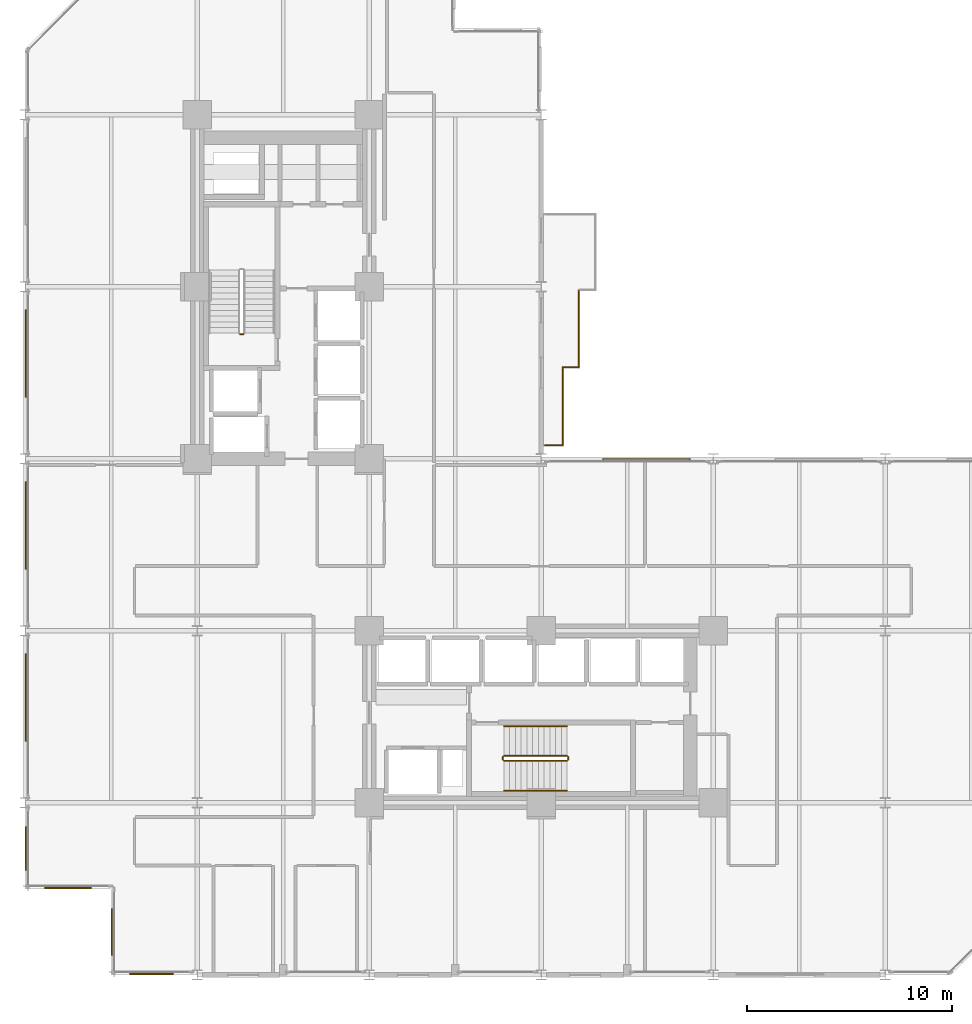
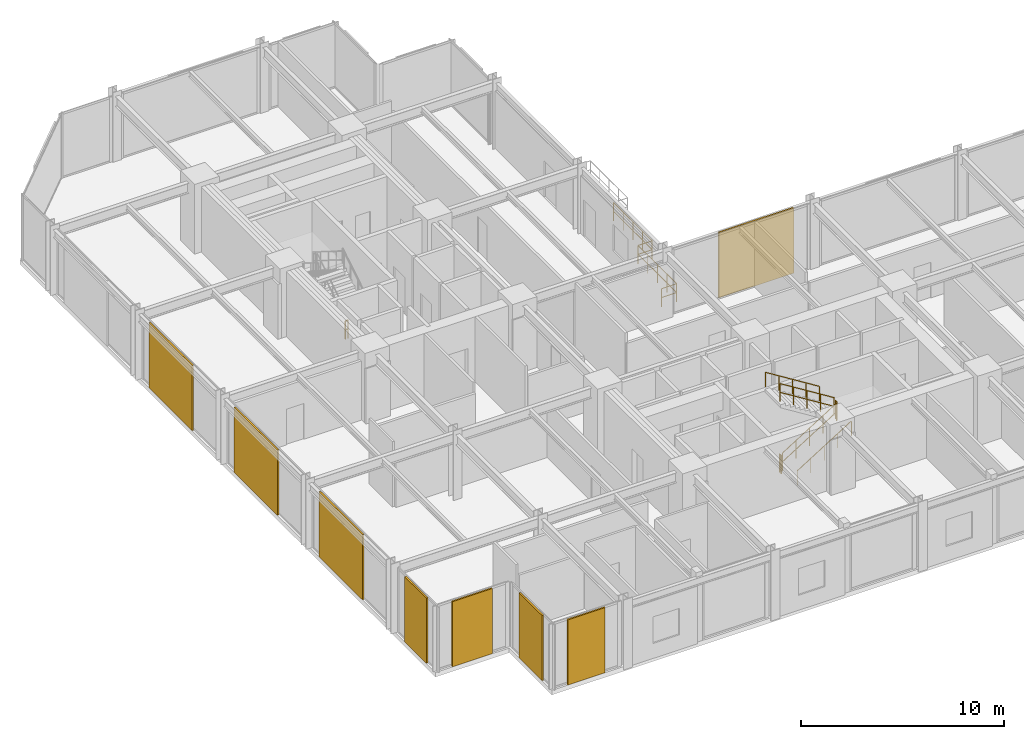
# One storey, part 22 of 24: 11 railings, 8 coverings.
"""IFC4 building model written with IfcOpenShell, lengths in metres."""

from ifc_helpers import new_model, si_unit, direction, frame, origin, origin_2d, place, context, subcontext, project, spatial, rectangle, circle, extrude, material, layer, layer_set, type_object, element, save


model = new_model("IFC4")

# Units and contexts
model_context = context("Model", 3, precision=1e-05, world=origin(), true_north=direction((0.0, 1.0)))
body_context = subcontext(model_context, "Body", "Model", "MODEL_VIEW")
ifc_project = project(units=[si_unit("LENGTHUNIT", "METRE"), si_unit("AREAUNIT", "SQUARE_METRE"), si_unit("VOLUMEUNIT", "CUBIC_METRE"), si_unit("PLANEANGLEUNIT", "RADIAN"), si_unit("MASSUNIT", "GRAM", prefix="KILO")], contexts=[model_context])

# Site, building, storey
site_placement = place(None, origin())
site = spatial("IfcSite", under=ifc_project, at=site_placement, CompositionType="ELEMENT")
building_placement = place(site_placement, origin())
building = spatial("IfcBuilding", under=site, at=building_placement, Name="Nerrivon Quay Data Exchange", CompositionType="ELEMENT")
storey_placement = place(building_placement, frame((0.0, 0.0, 45.800048828125)))
storey = spatial("IfcBuildingStorey", under=building, at=storey_placement, Name="L10", CompositionType="ELEMENT", Elevation=45.800048828125)

# Coverings
ifc_material_1 = material(Name="Architectural terracotta ceramic", Category="masonry")
ifc_layer = layer(ifc_material_1, 0.090087890625)
ifc_layer_set = layer_set([ifc_layer], Name="Architectural terracotta ceramic")
covering_type = type_object("IfcCoveringType", Name="COV-SCR-TERR", PredefinedType="CLADDING", material=ifc_layer_set)
covering_1_placement = place(storey_placement, frame((6.175048828125, 0.044921875, 0.0), z_axis=(0.0, 0.0, 1.0), x_axis=(-1.0, 0.0, 0.0)))
element("IfcCovering", 1, at=covering_1_placement, inside=storey, type_object=covering_type, Name="L10 Perforated Terracotta SOLAR SCREEN Cassette", PredefinedType="CLADDING", context=body_context, shape_type="SweptSolid", body=[
    extrude(rectangle(XDim=2.133056640625, YDim=0.090087890625, at=origin_2d()), origin(), (0.0, 0.0, 1.0), 3.925048828125),
])
for number, where, z_axis, x_axis, name in (
    (2, (4.2451171875, 2.10009765625, 0.0), (0.0, 0.0, 1.0), (0.0, 1.0, 0.0), "L10 Perforated Terracotta SOLAR SCREEN Cassette"),
    (3, (2.10009765625, 4.2451171875, 0.0), (0.0, 0.0, 1.0), (-1.0, 0.0, 0.0), "L10 Perforated Terracotta SOLAR SCREEN Cassette"),
):
    element("IfcCovering", number, at=place(storey_placement, frame(where, z_axis=z_axis, x_axis=x_axis)), inside=storey, type_object=covering_type, Name=name, PredefinedType="CLADDING", context=body_context, shape_type="SweptSolid", body=[
        extrude(rectangle(XDim=2.26806640625, YDim=0.090087890625, at=origin_2d()), origin(), (0.0, 0.0, 1.0), 3.925048828125),
    ])
covering_2_placement = place(storey_placement, frame((0.044921875, 6.175048828125, 0.0), z_axis=(0.0, 0.0, 1.0), x_axis=(0.0, 1.0, 0.0)))
element("IfcCovering", 4, at=covering_2_placement, inside=storey, type_object=covering_type, Name="L10 Perforated Terracotta SOLAR SCREEN Cassette", PredefinedType="CLADDING", context=body_context, shape_type="SweptSolid", body=[
    extrude(rectangle(XDim=2.133056640625, YDim=0.090087890625, at=origin_2d()), origin(), (0.0, 0.0, 1.0), 3.925048828125),
])
for number, where, z_axis, x_axis, name in (
    (5, (0.044921875, 13.548095703125, 0.0), (0.0, 0.0, 1.0), (0.0, 1.0, 0.0), "L10 Perforated Terracotta SOLAR SCREEN Cassette"),
    (6, (0.044921875, 21.947998046875, 0.0), (0.0, 0.0, 1.0), (0.0, 1.0, 0.0), "L10 Perforated Terracotta SOLAR SCREEN Cassette"),
    (7, (0.044921875, 30.347900390625, 0.0), (0.0, 0.0, 1.0), (0.0, 1.0, 0.0), "L10 Perforated Terracotta SOLAR SCREEN Cassette"),
    (8, (30.347900390625, 25.155029296875, 0.0), (0.0, 0.0, 1.0), (1.0, 0.0, 0.0), "L10 Perforated Terracotta SOLAR SCREEN Cassette"),
):
    element("IfcCovering", number, at=place(storey_placement, frame(where, z_axis=z_axis, x_axis=x_axis)), inside=storey, type_object=covering_type, Name=name, PredefinedType="CLADDING", context=body_context, shape_type="SweptSolid", body=[
        extrude(rectangle(XDim=4.26611328125, YDim=0.090087890625, at=origin_2d()), origin(), (0.0, 0.0, 1.0), 3.925048828125),
    ])

# Railings
ifc_material_2 = material(Name="Steel Grade C350L0 (350 MPa)", Category="steel")
railing_type_1 = type_object("IfcRailingType", Name="RAIL-GUARD-GR2", PredefinedType="BALUSTRADE", material=ifc_material_2)
railing_1_placement = place(storey_placement, frame((26.239990234375, 29.659912109375, 0.0)))
element("IfcRailing", 9, at=railing_1_placement, inside=storey, type_object=railing_type_1, Name="L10 Verandah Balcony Guard 1.1 1", PredefinedType="BALUSTRADE", context=body_context, shape_type="SweptSolid", body=[
    extrude(circle(Radius=0.02392578125, at=origin_2d()), frame((0.0, 0.0, 1.09619140625), z_axis=(0.0, -1.0, 0.0), x_axis=(1.0, 0.0, 0.0)), (0.0, 0.0, 1.0), 3.7998046875),
    extrude(circle(Radius=0.02392578125, at=origin_2d()), frame((0.0, 0.0, 0.56005859375), z_axis=(0.0, -1.0, 0.0), x_axis=(1.0, 0.0, 0.0)), (0.0, 0.0, 1.0), 3.7998046875),
    extrude(circle(Radius=0.02099609375, at=origin_2d()), origin(), (0.0, 0.0, 1.0), 1.072021484375),
    extrude(circle(Radius=0.02099609375, at=origin_2d()), frame((0.0, -0.949951171875, 0.0)), (0.0, 0.0, 1.0), 1.072021484375),
    extrude(circle(Radius=0.02099609375, at=origin_2d()), frame((0.0, -1.89990234375, 0.0)), (0.0, 0.0, 1.0), 1.072021484375),
    extrude(circle(Radius=0.02099609375, at=origin_2d()), frame((0.0, -2.849853515625, 0.0)), (0.0, 0.0, 1.0), 1.072021484375),
    extrude(circle(Radius=0.02099609375, at=origin_2d()), frame((0.0, -3.7998046875, 0.0)), (0.0, 0.0, 1.0), 1.072021484375),
])
railing_2_placement = place(storey_placement, frame((26.239990234375, 25.860107421875, 0.0)))
element("IfcRailing", 10, at=railing_2_placement, inside=storey, type_object=railing_type_1, Name="L10 Verandah Balcony Guard 1.2 1", PredefinedType="BALUSTRADE", context=body_context, shape_type="SweptSolid", body=[
    extrude(circle(Radius=0.02392578125, at=origin_2d()), frame((0.0, 0.0, 1.09619140625), z_axis=(-1.0, 0.0, 0.0), x_axis=(0.0, -1.0, 0.0)), (0.0, 0.0, 1.0), 0.860107421875),
    extrude(circle(Radius=0.02392578125, at=origin_2d()), frame((0.0, 0.0, 0.56005859375), z_axis=(-1.0, 0.0, 0.0), x_axis=(0.0, -1.0, 0.0)), (0.0, 0.0, 1.0), 0.860107421875),
    extrude(circle(Radius=0.02099609375, at=origin_2d()), origin(), (0.0, 0.0, 1.0), 1.072021484375),
    extrude(circle(Radius=0.02099609375, at=origin_2d()), frame((-0.860107421875, 0.0, 0.0)), (0.0, 0.0, 1.0), 1.072021484375),
])
railing_3_placement = place(storey_placement, frame((27.0400390625, 33.4599609375, 0.0)))
element("IfcRailing", 11, at=railing_3_placement, inside=storey, type_object=railing_type_1, Name="L10 Verandah Balcony Guard 1.6 1", PredefinedType="BALUSTRADE", context=body_context, shape_type="SweptSolid", body=[
    extrude(circle(Radius=0.02392578125, at=origin_2d()), frame((0.0, 0.0, 1.09619140625), z_axis=(0.0, -1.0, 0.0), x_axis=(1.0, 0.0, 0.0)), (0.0, 0.0, 1.0), 3.800048828125),
    extrude(circle(Radius=0.02392578125, at=origin_2d()), frame((0.0, 0.0, 0.56005859375), z_axis=(0.0, -1.0, 0.0), x_axis=(1.0, 0.0, 0.0)), (0.0, 0.0, 1.0), 3.800048828125),
    extrude(circle(Radius=0.02099609375, at=origin_2d()), origin(), (0.0, 0.0, 1.0), 1.072021484375),
    extrude(circle(Radius=0.02099609375, at=origin_2d()), frame((0.0, -0.949951171875, 0.0)), (0.0, 0.0, 1.0), 1.072021484375),
    extrude(circle(Radius=0.02099609375, at=origin_2d()), frame((0.0, -1.89990234375, 0.0)), (0.0, 0.0, 1.0), 1.072021484375),
    extrude(circle(Radius=0.02099609375, at=origin_2d()), frame((0.0, -2.85009765625, 0.0)), (0.0, 0.0, 1.0), 1.072021484375),
    extrude(circle(Radius=0.02099609375, at=origin_2d()), frame((0.0, -3.800048828125, 0.0)), (0.0, 0.0, 1.0), 1.072021484375),
])
railing_4_placement = place(storey_placement, frame((27.0400390625, 29.659912109375, 0.0)))
element("IfcRailing", 12, at=railing_4_placement, inside=storey, type_object=railing_type_1, Name="L10 Verandah Balcony Guard 1.7 1", PredefinedType="BALUSTRADE", context=body_context, shape_type="SweptSolid", body=[
    extrude(circle(Radius=0.02392578125, at=origin_2d()), frame((0.0, 0.0, 1.09619140625), z_axis=(-1.0, 0.0, 0.0), x_axis=(0.0, -1.0, 0.0)), (0.0, 0.0, 1.0), 0.800048828125),
    extrude(circle(Radius=0.02392578125, at=origin_2d()), frame((0.0, 0.0, 0.56005859375), z_axis=(-1.0, 0.0, 0.0), x_axis=(0.0, -1.0, 0.0)), (0.0, 0.0, 1.0), 0.800048828125),
    extrude(circle(Radius=0.02099609375, at=origin_2d()), origin(), (0.0, 0.0, 1.0), 1.072021484375),
    extrude(circle(Radius=0.02099609375, at=origin_2d()), frame((-0.800048828125, 0.0, 0.0)), (0.0, 0.0, 1.0), 1.072021484375),
])
railing_type_2 = type_object("IfcRailingType", Name="RAIL-HAND-HR1", PredefinedType="HANDRAIL", material=ifc_material_2)
railing_5_placement = place(storey_placement, frame((23.3798828125, 9.0, 0.175048828125)))
element("IfcRailing", 13, at=railing_5_placement, inside=storey, type_object=railing_type_2, Name="L10 ST02 stair handrail 1", PredefinedType="HANDRAIL", context=body_context, shape_type="SweptSolid", body=[
    extrude(circle(Radius=0.02392578125, at=origin_2d()), frame((0.0, 0.0, 0.8759765625), z_axis=(0.848028513186, 0.0, 0.529950602248), x_axis=(0.0, 1.0, 0.0)), (0.0, 0.0, 1.0), 3.632080078125),
    extrude(circle(Radius=0.02099609375, at=origin_2d()), origin(), (0.0, 0.0, 1.0), 0.851806640625),
    extrude(circle(Radius=0.02099609375, at=origin_2d()), frame((0.77001953125, 0.0, 0.481201171875)), (0.0, 0.0, 1.0), 0.851806640625),
    extrude(circle(Radius=0.02099609375, at=origin_2d()), frame((1.5400390625, 0.0, 0.96240234375)), (0.0, 0.0, 1.0), 0.851806640625),
    extrude(circle(Radius=0.02099609375, at=origin_2d()), frame((2.31005859375, 0.0, 1.443603515625)), (0.0, 0.0, 1.0), 0.851806640625),
    extrude(circle(Radius=0.02099609375, at=origin_2d()), frame((3.080078125, 0.0, 1.9248046875)), (0.0, 0.0, 1.0), 0.851806640625),
])
railing_6_placement = place(storey_placement, frame((26.4599609375, 12.14990234375, 2.27490234375)))
element("IfcRailing", 14, at=railing_6_placement, inside=storey, type_object=railing_type_2, Name="L10 ST02 stair handrail 2", PredefinedType="HANDRAIL", context=body_context, shape_type="SweptSolid", body=[
    extrude(circle(Radius=0.02392578125, at=origin_2d()), frame((0.0, 0.0, 0.8759765625), z_axis=(-0.847998304005, 0.0, 0.529998940003), x_axis=(0.0, -1.0, 0.0)), (0.0, 0.0, 1.0), 3.632080078125),
    extrude(circle(Radius=0.02099609375, at=origin_2d()), origin(), (0.0, 0.0, 1.0), 0.851806640625),
    extrude(circle(Radius=0.02099609375, at=origin_2d()), frame((-0.77001953125, 0.0, 0.481201171875)), (0.0, 0.0, 1.0), 0.851806640625),
    extrude(circle(Radius=0.02099609375, at=origin_2d()), frame((-1.5400390625, 0.0, 0.96240234375)), (0.0, 0.0, 1.0), 0.851806640625),
    extrude(circle(Radius=0.02099609375, at=origin_2d()), frame((-2.31005859375, 0.0, 1.44384765625)), (0.0, 0.0, 1.0), 0.851806640625),
    extrude(circle(Radius=0.02099609375, at=origin_2d()), frame((-3.080078125, 0.0, 1.925048828125)), (0.0, 0.0, 1.0), 0.851806640625),
])
railing_type_3 = type_object("IfcRailingType", Name="RAIL-STAIR-GR1", PredefinedType="BALUSTRADE", material=ifc_material_2)
railing_7_placement = place(storey_placement, frame((10.64990234375, 31.280029296875, 0.0)))
element("IfcRailing", 15, at=railing_7_placement, inside=storey, type_object=railing_type_3, Name="L10 ST01 stair guard 4", PredefinedType="BALUSTRADE", context=body_context, shape_type="SweptSolid", body=[
    extrude(circle(Radius=0.02392578125, at=origin_2d()), frame((0.0, 0.0, 1.076171875), z_axis=(-1.0, 0.0, 0.0), x_axis=(0.0, -1.0, 0.0)), (0.0, 0.0, 1.0), 0.14990234375),
    extrude(circle(Radius=0.02392578125, at=origin_2d()), frame((0.0, 0.0, 0.550048828125), z_axis=(-1.0, 0.0, 0.0), x_axis=(0.0, -1.0, 0.0)), (0.0, 0.0, 1.0), 0.14990234375),
    extrude(circle(Radius=0.02099609375, at=origin_2d()), origin(), (0.0, 0.0, 1.0), 1.052001953125),
    extrude(circle(Radius=0.02099609375, at=origin_2d()), frame((-0.14990234375, 0.0, 0.0)), (0.0, 0.0, 1.0), 1.052001953125),
])
railing_8_placement = place(storey_placement, frame((23.3798828125, 10.449951171875, 0.175048828125)))
element("IfcRailing", 16, at=railing_8_placement, inside=storey, type_object=railing_type_3, Name="L10 ST02 stair guard 1", PredefinedType="BALUSTRADE", context=body_context, shape_type="SweptSolid", body=[
    extrude(circle(Radius=0.02392578125, at=origin_2d()), frame((0.0, 0.0, 1.076171875), z_axis=(0.848028513186, 0.0, 0.529950602248), x_axis=(0.0, 1.0, 0.0)), (0.0, 0.0, 1.0), 3.632080078125),
    extrude(circle(Radius=0.02392578125, at=origin_2d()), frame((0.0, 0.0, 0.550048828125), z_axis=(0.848028513186, 0.0, 0.529950602248), x_axis=(0.0, 1.0, 0.0)), (0.0, 0.0, 1.0), 3.632080078125),
    extrude(circle(Radius=0.02099609375, at=origin_2d()), origin(), (0.0, 0.0, 1.0), 1.052001953125),
    extrude(circle(Radius=0.02099609375, at=origin_2d()), frame((0.77001953125, 0.0, 0.481201171875)), (0.0, 0.0, 1.0), 1.052001953125),
    extrude(circle(Radius=0.02099609375, at=origin_2d()), frame((1.5400390625, 0.0, 0.96240234375)), (0.0, 0.0, 1.0), 1.052001953125),
    extrude(circle(Radius=0.02099609375, at=origin_2d()), frame((2.31005859375, 0.0, 1.443603515625)), (0.0, 0.0, 1.0), 1.052001953125),
    extrude(circle(Radius=0.02099609375, at=origin_2d()), frame((3.080078125, 0.0, 1.9248046875)), (0.0, 0.0, 1.0), 1.052001953125),
])
railing_9_placement = place(storey_placement, frame((26.510009765625, 10.5, 2.099853515625)))
element("IfcRailing", 17, at=railing_9_placement, inside=storey, type_object=railing_type_3, Name="L10 ST02 stair guard 2", PredefinedType="BALUSTRADE", context=body_context, shape_type="SweptSolid", body=[
    extrude(circle(Radius=0.02392578125, at=origin_2d()), frame((0.0, 0.0, 1.076171875), z_axis=(0.0, 1.0, 0.0), x_axis=(-1.0, 0.0, 0.0)), (0.0, 0.0, 1.0), 0.14990234375),
    extrude(circle(Radius=0.02392578125, at=origin_2d()), frame((0.0, 0.0, 0.550048828125), z_axis=(0.0, 1.0, 0.0), x_axis=(-1.0, 0.0, 0.0)), (0.0, 0.0, 1.0), 0.14990234375),
    extrude(circle(Radius=0.02099609375, at=origin_2d()), origin(), (0.0, 0.0, 1.0), 1.052001953125),
    extrude(circle(Radius=0.02099609375, at=origin_2d()), frame((0.0, 0.14990234375, 0.0)), (0.0, 0.0, 1.0), 1.052001953125),
])
railing_10_placement = place(storey_placement, frame((26.4599609375, 10.699951171875, 2.27490234375)))
element("IfcRailing", 18, at=railing_10_placement, inside=storey, type_object=railing_type_3, Name="L10 ST02 stair guard 3", PredefinedType="BALUSTRADE", context=body_context, shape_type="SweptSolid", body=[
    extrude(circle(Radius=0.02392578125, at=origin_2d()), frame((0.0, 0.0, 1.076171875), z_axis=(-0.847998304005, 0.0, 0.529998940003), x_axis=(0.0, -1.0, 0.0)), (0.0, 0.0, 1.0), 3.632080078125),
    extrude(circle(Radius=0.02392578125, at=origin_2d()), frame((0.0, 0.0, 0.550048828125), z_axis=(-0.847998304005, 0.0, 0.529998940003), x_axis=(0.0, -1.0, 0.0)), (0.0, 0.0, 1.0), 3.632080078125),
    extrude(circle(Radius=0.02099609375, at=origin_2d()), origin(), (0.0, 0.0, 1.0), 1.052001953125),
    extrude(circle(Radius=0.02099609375, at=origin_2d()), frame((-0.77001953125, 0.0, 0.481201171875)), (0.0, 0.0, 1.0), 1.052001953125),
    extrude(circle(Radius=0.02099609375, at=origin_2d()), frame((-1.5400390625, 0.0, 0.96240234375)), (0.0, 0.0, 1.0), 1.052001953125),
    extrude(circle(Radius=0.02099609375, at=origin_2d()), frame((-2.31005859375, 0.0, 1.44384765625)), (0.0, 0.0, 1.0), 1.052001953125),
    extrude(circle(Radius=0.02099609375, at=origin_2d()), frame((-3.080078125, 0.0, 1.925048828125)), (0.0, 0.0, 1.0), 1.052001953125),
])
railing_11_placement = place(storey_placement, frame((23.330078125, 10.5, 0.0)))
element("IfcRailing", 19, at=railing_11_placement, inside=storey, type_object=railing_type_3, Name="L10 ST02 stair guard 4", PredefinedType="BALUSTRADE", context=body_context, shape_type="SweptSolid", body=[
    extrude(circle(Radius=0.02392578125, at=origin_2d()), frame((0.0, 0.0, 1.076171875), z_axis=(0.0, 1.0, 0.0), x_axis=(-1.0, 0.0, 0.0)), (0.0, 0.0, 1.0), 0.14990234375),
    extrude(circle(Radius=0.02392578125, at=origin_2d()), frame((0.0, 0.0, 0.550048828125), z_axis=(0.0, 1.0, 0.0), x_axis=(-1.0, 0.0, 0.0)), (0.0, 0.0, 1.0), 0.14990234375),
    extrude(circle(Radius=0.02099609375, at=origin_2d()), origin(), (0.0, 0.0, 1.0), 1.052001953125),
    extrude(circle(Radius=0.02099609375, at=origin_2d()), frame((0.0, 0.14990234375, 0.0)), (0.0, 0.0, 1.0), 1.052001953125),
])

save(model, "model.ifc")
